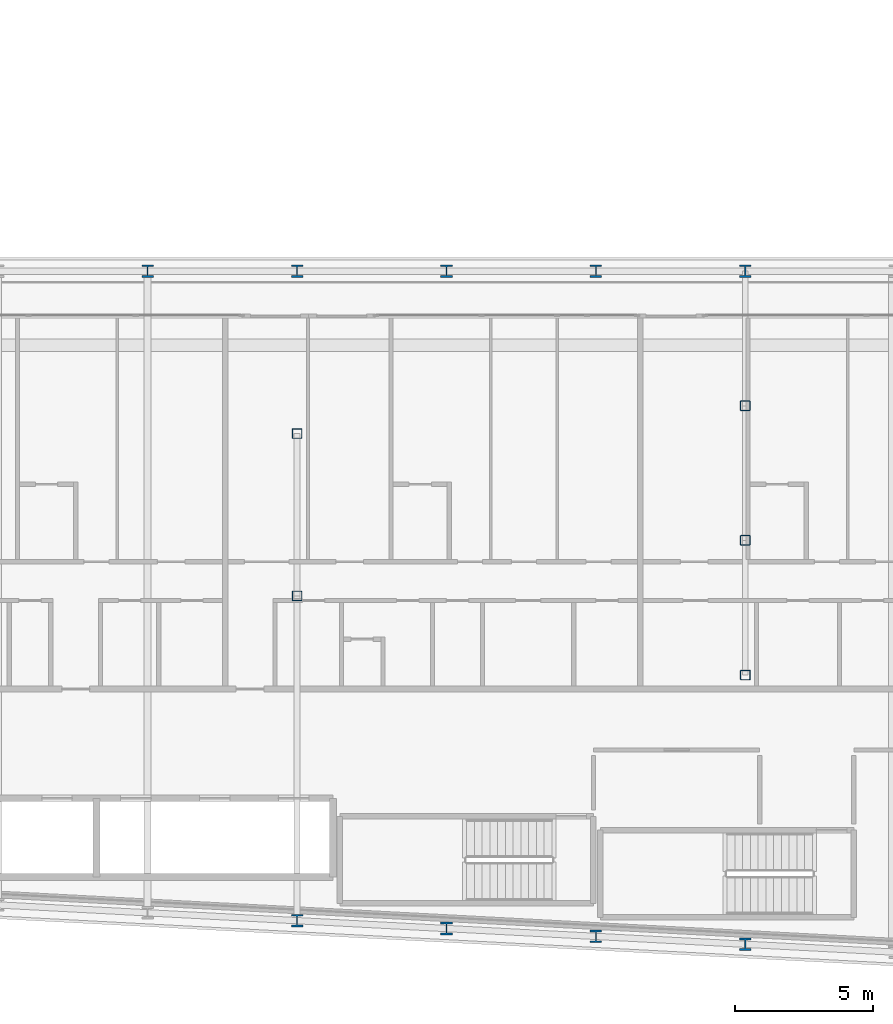
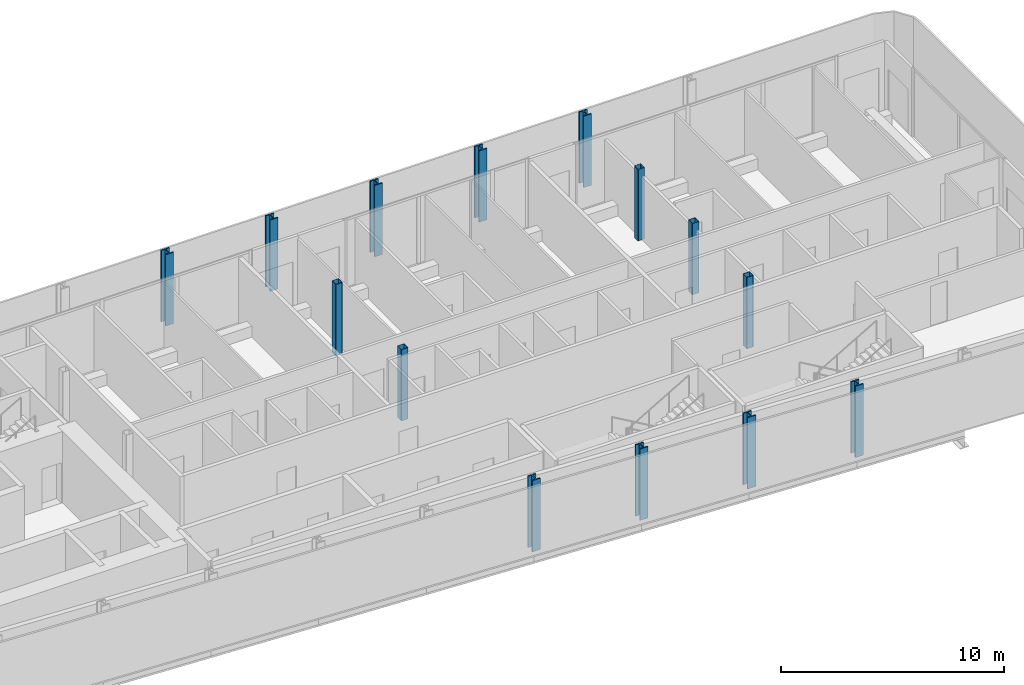
# One storey, part 2 of 29: 14 columns.
"""IFC4 building model written with IfcOpenShell, lengths in metres."""

from ifc_helpers import new_model, si_unit, direction, frame, origin, origin_2d, place, context, subcontext, project, spatial, hollow_rectangle, i_section, extrude, material, material_profile, profile_set, type_object, element, save


model = new_model("IFC4")

# Units and contexts
model_context = context("Model", 3, precision=1e-05, world=origin(), true_north=direction((0.0, 1.0)))
body_context = subcontext(model_context, "Body", "Model", "MODEL_VIEW")
ifc_project = project(units=[si_unit("LENGTHUNIT", "METRE"), si_unit("AREAUNIT", "SQUARE_METRE"), si_unit("VOLUMEUNIT", "CUBIC_METRE"), si_unit("PLANEANGLEUNIT", "RADIAN"), si_unit("MASSUNIT", "GRAM", prefix="KILO")], contexts=[model_context])

# Site, building, storey
site_placement = place(None, origin())
site = spatial("IfcSite", under=ifc_project, at=site_placement, CompositionType="ELEMENT")
building_placement = place(site_placement, origin())
building = spatial("IfcBuilding", under=site, at=building_placement, Name="Kheshtan School and Residences Tower", CompositionType="ELEMENT")
storey_placement = place(building_placement, frame((0.0, 0.0, 121.39990234375)))
storey = spatial("IfcBuildingStorey", under=building, at=storey_placement, Name="L28", CompositionType="ELEMENT", Elevation=121.39990234375)

# Columns
ifc_material_1 = material(Name="Steel ASTM A992 Grade 50", Category="steel")
ifc_material_profile_1 = material_profile(ifc_material_1, i_section(OverallWidth=0.41796875, OverallDepth=0.455078125, WebThickness=0.042236328125, FlangeThickness=0.067626953125, FilletRadius=0.013671875, at=origin_2d()), Name="W360x551")
ifc_profile_set_1 = profile_set([ifc_material_profile_1], Name="Steel ASTM A992 Grade 50")
column_type_1 = type_object("IfcColumnType", Name="Column C2 W360x551 ASTM A992 Grade 50", PredefinedType="COLUMN", material=ifc_profile_set_1)
for number, where, z_axis, x_axis, name in (
    (1, (85.39990234375, 21.27392578125, 0.0), (0.0, 0.0, 1.0), (1.0, 0.0, 0.0), "Column C008"),
    (2, (80.0, 21.55810546875, 0.0), (0.0, 0.0, 1.0), (1.0, 0.0, 0.0), "Column C012"),
    (3, (74.60009765625, 21.843017578125, 0.0), (0.0, 0.0, 1.0), (1.0, 0.0, 0.0), "Column C013"),
    (4, (69.199951171875, 22.126953125, 0.0), (0.0, 0.0, 1.0), (1.0, 0.0, 0.0), "Column C014"),
    (5, (63.800048828125, 45.60009765625, 0.0), (0.0, 0.0, 1.0), (1.0, 0.0, 0.0), "Column C063"),
    (6, (69.199951171875, 45.60009765625, 0.0), (0.0, 0.0, 1.0), (1.0, 0.0, 0.0), "Column C064"),
    (7, (74.60009765625, 45.60009765625, 0.0), (0.0, 0.0, 1.0), (1.0, 0.0, 0.0), "Column C065"),
    (8, (80.0, 45.60009765625, 0.0), (0.0, 0.0, 1.0), (1.0, 0.0, 0.0), "Column C066"),
    (9, (85.39990234375, 45.60009765625, 0.0), (0.0, 0.0, 1.0), (1.0, 0.0, 0.0), "Column C067"),
):
    element("IfcColumn", number, at=place(storey_placement, frame(where, z_axis=z_axis, x_axis=x_axis)), inside=storey, type_object=column_type_1, Name=name, PredefinedType="COLUMN", context=body_context, shape_type="SweptSolid", body=[
        extrude(i_section(OverallWidth=0.41796875, OverallDepth=0.455078125, WebThickness=0.042236328125, FlangeThickness=0.067626953125, FilletRadius=0.013671875, at=origin_2d()), origin(), (0.0, 0.0, 1.0), 3.900146484375),
    ])
ifc_material_2 = material(Name="Steel ASTM A500 Grade C", Category="steel")
ifc_material_profile_2 = material_profile(ifc_material_2, hollow_rectangle(XDim=0.35595703125, YDim=0.35595703125, WallThickness=0.015869140625, InnerFilletRadius=0.015869140625, OuterFilletRadius=0.03173828125, at=origin_2d()), Name="HSS 356x356x15.9")
ifc_profile_set_2 = profile_set([ifc_material_profile_2], Name="Steel ASTM A500 Grade C")
column_type_2 = type_object("IfcColumnType", Name="Column IC1 HSS 356x356x15.9 ASTM A500 Grade C", PredefinedType="COLUMN", material=ifc_profile_set_2)
for number, where, z_axis, x_axis, name in (
    (10, (85.39990234375, 31.0048828125, 0.0), (0.0, 0.0, 1.0), (1.0, 0.0, 0.0), "Column C049"),
    (11, (69.199951171875, 33.863037109375, 0.0), (0.0, 0.0, 1.0), (1.0, 0.0, 0.0), "Column C050"),
    (12, (85.39990234375, 35.8701171875, 0.0), (0.0, 0.0, 1.0), (1.0, 0.0, 0.0), "Column C053"),
    (13, (69.199951171875, 39.73193359375, 0.0), (0.0, 0.0, 1.0), (1.0, 0.0, 0.0), "Column C054"),
    (14, (85.39990234375, 40.735107421875, 0.0), (0.0, 0.0, 1.0), (1.0, 0.0, 0.0), "Column C057"),
):
    element("IfcColumn", number, at=place(storey_placement, frame(where, z_axis=z_axis, x_axis=x_axis)), inside=storey, type_object=column_type_2, Name=name, PredefinedType="COLUMN", context=body_context, shape_type="SweptSolid", body=[
        extrude(hollow_rectangle(XDim=0.35595703125, YDim=0.35595703125, WallThickness=0.015869140625, InnerFilletRadius=0.015869140625, OuterFilletRadius=0.03173828125, at=origin_2d()), origin(), (0.0, 0.0, 1.0), 3.900146484375),
    ])

save(model, "model.ifc")
